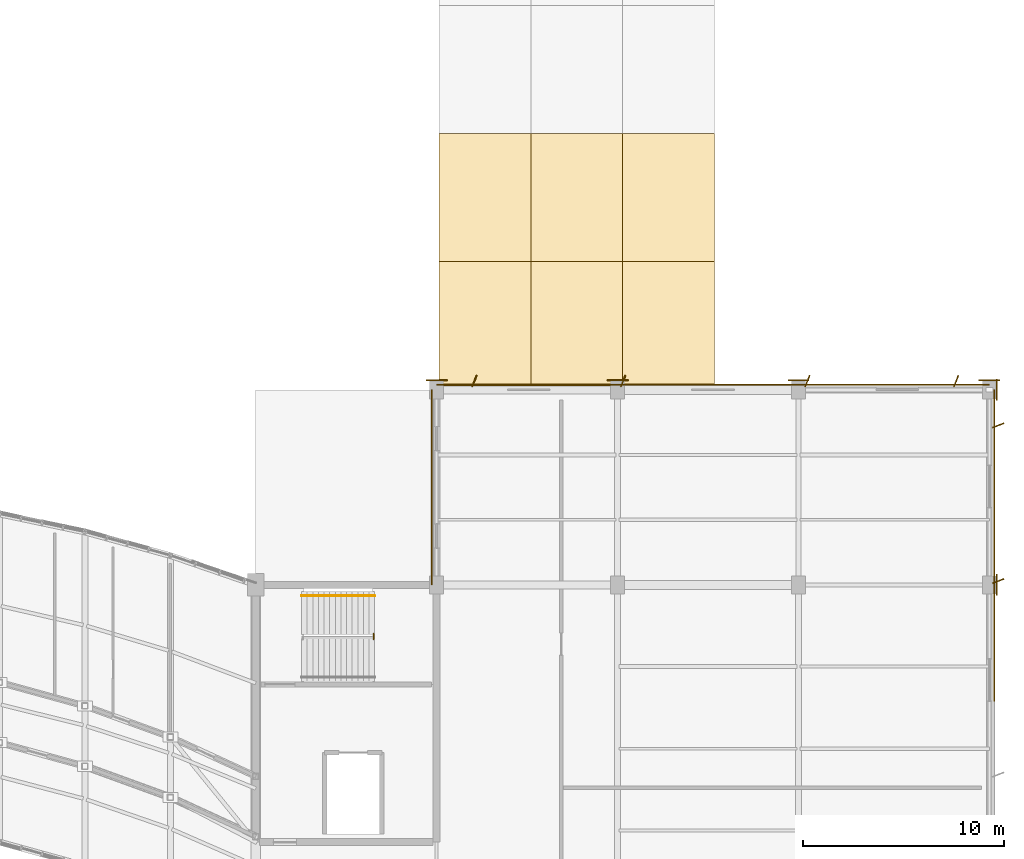
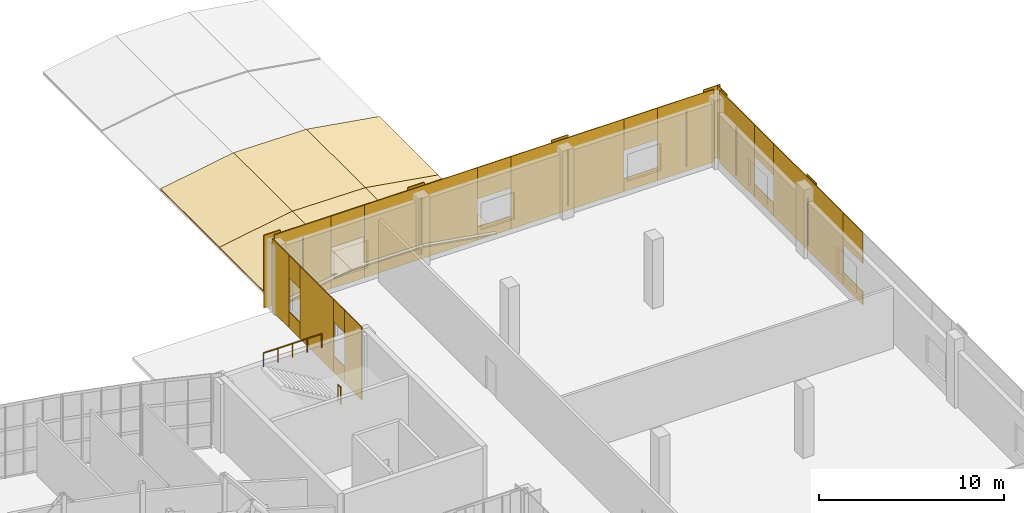
# One storey, part 85 of 86: 41 coverings, 2 railings.
"""IFC4 building model written with IfcOpenShell, lengths in metres."""

from ifc_helpers import new_model, si_unit, direction, frame, origin, origin_2d, place, context, subcontext, project, spatial, polyline, rectangle, circle, outline, extrude, material, layer, layer_set, type_object, element, save


model = new_model("IFC4")

# Units and contexts
model_context = context("Model", 3, precision=1e-05, world=origin(), true_north=direction((0.0, 1.0)))
body_context = subcontext(model_context, "Body", "Model", "MODEL_VIEW")
ifc_project = project(units=[si_unit("LENGTHUNIT", "METRE"), si_unit("AREAUNIT", "SQUARE_METRE"), si_unit("VOLUMEUNIT", "CUBIC_METRE"), si_unit("PLANEANGLEUNIT", "RADIAN"), si_unit("MASSUNIT", "GRAM", prefix="KILO")], contexts=[model_context])

# Site, building, storey
site_placement = place(None, origin())
site = spatial("IfcSite", under=ifc_project, at=site_placement, CompositionType="ELEMENT")
building_placement = place(site_placement, origin())
building = spatial("IfcBuilding", under=site, at=building_placement, Name="Solvikara Media Centre", CompositionType="ELEMENT")
storey_placement = place(building_placement, frame((0.0, 0.0, 15.0)))
storey = spatial("IfcBuildingStorey", under=building, at=storey_placement, Name="L03", CompositionType="ELEMENT", Elevation=15.0)

# Coverings
ifc_material_1 = material(Name="Insulated standing-seam aluminium-zinc acoustic roofing", Category="aluminium")
ifc_layer_1 = layer(ifc_material_1, 0.080078125)
ifc_layer_set_1 = layer_set([ifc_layer_1], Name="Insulated standing-seam aluminium-zinc acoustic roofing")
covering_type_1 = type_object("IfcCoveringType", Name="CV-03", PredefinedType="ROOFING", material=ifc_layer_set_1)
covering_1_placement = place(storey_placement, frame((136.625, 46.5, 0.216064453125), z_axis=(-0.170141736311, 0.0, 0.985419600762), x_axis=(0.985419600762, 0.0, 0.170141736311)))
element("IfcCovering", 1, at=covering_1_placement, inside=storey, type_object=covering_type_1, Name="CV-BSA-00-02", PredefinedType="ROOFING", context=body_context, shape_type="SweptSolid", body=[
    extrude(outline(polyline([(0.0, 0.0), (4.630502861647757, 0.0), (4.630502861647757, 6.375000000000002), (0.0, 6.375000000000002), (0.0, 0.0)])), origin(), (0.0, 0.0, -1.0), 0.080078125),
])
covering_2_placement = place(storey_placement, frame((141.18798828125, 46.5, 1.00390625), z_axis=(0.010060499073, 0.0, 0.999949391899), x_axis=(0.999949391899, 0.0, -0.010060499073)))
element("IfcCovering", 2, at=covering_2_placement, inside=storey, type_object=covering_type_1, Name="CV-BSA-00-03", PredefinedType="ROOFING", context=body_context, shape_type="SweptSolid", body=[
    extrude(outline(polyline([(0.0, 0.0), (4.562242605186322, 0.0), (4.562242605186322, 6.375), (0.0, 6.375), (0.0, 0.0)])), origin(), (0.0, 0.0, -1.0), 0.080078125),
])
covering_3_placement = place(storey_placement, frame((145.75, 46.5, 0.9580078125), z_axis=(0.16242916389, 0.0, 0.986720206907), x_axis=(0.986720206907, 0.0, -0.16242916389)))
element("IfcCovering", 3, at=covering_3_placement, inside=storey, type_object=covering_type_1, Name="CV-BSA-00-04", PredefinedType="ROOFING", context=body_context, shape_type="SweptSolid", body=[
    extrude(outline(polyline([(0.0, 0.0), (4.623409642183639, 0.0), (4.623409642183639, 6.375), (0.0, 6.375), (0.0, 0.0)])), origin(), (0.0, 0.0, -1.0), 0.080078125),
])
covering_4_placement = place(storey_placement, frame((136.625, 52.875, 0.216064453125), z_axis=(-0.170141736311, 0.0, 0.985419600762), x_axis=(0.985419600762, 0.0, 0.170141736311)))
element("IfcCovering", 4, at=covering_4_placement, inside=storey, type_object=covering_type_1, Name="CV-BSA-01-02", PredefinedType="ROOFING", context=body_context, shape_type="SweptSolid", body=[
    extrude(outline(polyline([(0.0, 0.0), (4.630502861647757, 0.0), (4.630502861647757, 6.375000000000002), (0.0, 6.375000000000002), (0.0, 0.0)])), origin(), (0.0, 0.0, -1.0), 0.080078125),
])
covering_5_placement = place(storey_placement, frame((141.18798828125, 52.875, 1.00390625), z_axis=(0.010060499073, 0.0, 0.999949391899), x_axis=(0.999949391899, 0.0, -0.010060499073)))
element("IfcCovering", 5, at=covering_5_placement, inside=storey, type_object=covering_type_1, Name="CV-BSA-01-03", PredefinedType="ROOFING", context=body_context, shape_type="SweptSolid", body=[
    extrude(outline(polyline([(0.0, 0.0), (4.562242605186322, 0.0), (4.562242605186322, 6.375), (0.0, 6.375), (0.0, 0.0)])), origin(), (0.0, 0.0, -1.0), 0.080078125),
])
covering_6_placement = place(storey_placement, frame((145.75, 52.875, 0.9580078125), z_axis=(0.16242916389, 0.0, 0.986720206907), x_axis=(0.986720206907, 0.0, -0.16242916389)))
element("IfcCovering", 6, at=covering_6_placement, inside=storey, type_object=covering_type_1, Name="CV-BSA-01-04", PredefinedType="ROOFING", context=body_context, shape_type="SweptSolid", body=[
    extrude(outline(polyline([(0.0, 0.0), (4.623409642183639, 0.0), (4.623409642183639, 6.375), (0.0, 6.375), (0.0, 0.0)])), origin(), (0.0, 0.0, -1.0), 0.080078125),
])
ifc_material_2 = material(Name="GFRC white mineral architectural rainscreen panel")
ifc_layer_2 = layer(ifc_material_2, 0.050048828125)
ifc_layer_set_2 = layer_set([ifc_layer_2], Name="GFRC white mineral architectural rainscreen panel")
covering_type_2 = type_object("IfcCoveringType", Name="CV-04", PredefinedType="CLADDING", material=ifc_layer_set_2)
for number, where, z_axis, x_axis, name in (
    (7, (136.5, 46.97509765625, 0.0), (0.0, 0.0, 1.0), (-1.0, 0.0, 0.0), "PIL-L03-204"),
    (8, (145.5, 46.97509765625, 0.0), (0.0, 0.0, 1.0), (-1.0, 0.0, 0.0), "PIL-L03-210"),
    (9, (154.5, 46.97509765625, 0.0), (0.0, 0.0, 1.0), (-1.0, 0.0, 0.0), "PIL-L03-216"),
    (10, (164.375, 36.800048828125, 0.0), (0.0, 0.0, 1.0), (0.0, 1.0, 0.0), "PIL-L03-235"),
    (11, (164.375, 46.5, 0.0), (0.0, 0.0, 1.0), (0.0, 1.0, 0.0), "PIL-L03-240"),
    (12, (164.0, 46.97509765625, 0.0), (0.0, 0.0, 1.0), (-1.0, 0.0, 0.0), "PIL-L03-241"),
):
    element("IfcCovering", number, at=place(storey_placement, frame(where, z_axis=z_axis, x_axis=x_axis)), inside=storey, type_object=covering_type_2, Name=name, PredefinedType="CLADDING", context=body_context, shape_type="SweptSolid", body=[
        extrude(rectangle(XDim=1.0400390625, YDim=0.050048828125, at=origin_2d()), origin(), (0.0, 0.0, 1.0), 4.800048828125),
    ])
covering_7_placement = place(storey_placement, frame((136.2548828125, 37.7119140625, 0.0), z_axis=(0.0, 0.0, 1.0), x_axis=(0.0, 1.0, 0.0)))
element("IfcCovering", 13, at=covering_7_placement, inside=storey, type_object=covering_type_2, Name="L03-V5WN-CV-F01", PredefinedType="CLADDING", context=body_context, shape_type="SweptSolid", body=[
    extrude(rectangle(XDim=1.824951171875, YDim=0.050048828125, at=origin_2d()), origin(), (0.0, 0.0, 1.0), 4.800048828125),
])
covering_8_placement = place(storey_placement, frame((136.2548828125, 39.22509765625, 0.0), z_axis=(0.0, 0.0, 1.0), x_axis=(0.0, 1.0, 0.0)))
element("IfcCovering", 14, at=covering_8_placement, inside=storey, type_object=covering_type_2, Name="L03-V5WN-CV-S02", PredefinedType="CLADDING", context=body_context, shape_type="SweptSolid", body=[
    extrude(rectangle(XDim=1.199951171875, YDim=0.050048828125, at=origin_2d()), origin(), (0.0, 0.0, 1.0), 1.070068359375),
])
covering_9_placement = place(storey_placement, frame((136.2548828125, 39.22509765625, 3.330078125), z_axis=(0.0, 0.0, 1.0), x_axis=(0.0, 1.0, 0.0)))
element("IfcCovering", 15, at=covering_9_placement, inside=storey, type_object=covering_type_2, Name="L03-V5WN-CV-H02", PredefinedType="CLADDING", context=body_context, shape_type="SweptSolid", body=[
    extrude(rectangle(XDim=1.199951171875, YDim=0.050048828125, at=origin_2d()), origin(), (0.0, 0.0, 1.0), 1.469970703125),
])
covering_10_placement = place(storey_placement, frame((136.2548828125, 41.64990234375, 0.0), z_axis=(0.0, 0.0, 1.0), x_axis=(0.0, 1.0, 0.0)))
element("IfcCovering", 16, at=covering_10_placement, inside=storey, type_object=covering_type_2, Name="L03-V5WN-CV-F03", PredefinedType="CLADDING", context=body_context, shape_type="SweptSolid", body=[
    extrude(rectangle(XDim=3.64990234375, YDim=0.050048828125, at=origin_2d()), origin(), (0.0, 0.0, 1.0), 4.800048828125),
])
covering_11_placement = place(storey_placement, frame((136.2548828125, 44.074951171875, 0.0), z_axis=(0.0, 0.0, 1.0), x_axis=(0.0, 1.0, 0.0)))
element("IfcCovering", 17, at=covering_11_placement, inside=storey, type_object=covering_type_2, Name="L03-V5WN-CV-S04", PredefinedType="CLADDING", context=body_context, shape_type="SweptSolid", body=[
    extrude(rectangle(XDim=1.199951171875, YDim=0.050048828125, at=origin_2d()), origin(), (0.0, 0.0, 1.0), 1.070068359375),
])
covering_12_placement = place(storey_placement, frame((136.2548828125, 44.074951171875, 3.330078125), z_axis=(0.0, 0.0, 1.0), x_axis=(0.0, 1.0, 0.0)))
element("IfcCovering", 18, at=covering_12_placement, inside=storey, type_object=covering_type_2, Name="L03-V5WN-CV-H04", PredefinedType="CLADDING", context=body_context, shape_type="SweptSolid", body=[
    extrude(rectangle(XDim=1.199951171875, YDim=0.050048828125, at=origin_2d()), origin(), (0.0, 0.0, 1.0), 1.469970703125),
])
covering_13_placement = place(storey_placement, frame((136.2548828125, 45.5869140625, 0.0), z_axis=(0.0, 0.0, 1.0), x_axis=(0.0, 1.0, 0.0)))
element("IfcCovering", 19, at=covering_13_placement, inside=storey, type_object=covering_type_2, Name="L03-V5WN-CV-F05", PredefinedType="CLADDING", context=body_context, shape_type="SweptSolid", body=[
    extrude(rectangle(XDim=1.824951171875, YDim=0.050048828125, at=origin_2d()), origin(), (0.0, 0.0, 1.0), 4.800048828125),
])
covering_14_placement = place(storey_placement, frame((164.2451171875, 32.06201171875, 0.0), z_axis=(0.0, 0.0, 1.0), x_axis=(0.0, 1.0, 0.0)))
element("IfcCovering", 20, at=covering_14_placement, inside=storey, type_object=covering_type_2, Name="L03-V5E-CV-S06", PredefinedType="CLADDING", context=body_context, shape_type="SweptSolid", body=[
    extrude(rectangle(XDim=2.10009765625, YDim=0.050048828125, at=origin_2d()), origin(), (0.0, 0.0, 1.0), 0.8701171875),
])
covering_15_placement = place(storey_placement, frame((164.2451171875, 32.06201171875, 2.72998046875), z_axis=(0.0, 0.0, 1.0), x_axis=(0.0, 1.0, 0.0)))
element("IfcCovering", 21, at=covering_15_placement, inside=storey, type_object=covering_type_2, Name="L03-V5E-CV-H06", PredefinedType="CLADDING", context=body_context, shape_type="SweptSolid", body=[
    extrude(rectangle(XDim=2.10009765625, YDim=0.050048828125, at=origin_2d()), origin(), (0.0, 0.0, 1.0), 2.070068359375),
])
covering_16_placement = place(storey_placement, frame((164.2451171875, 36.875, 0.0), z_axis=(0.0, 0.0, 1.0), x_axis=(0.0, 1.0, 0.0)))
element("IfcCovering", 22, at=covering_16_placement, inside=storey, type_object=covering_type_2, Name="L03-V5E-CV-F07", PredefinedType="CLADDING", context=body_context, shape_type="SweptSolid", body=[
    extrude(rectangle(XDim=7.52587890625, YDim=0.050048828125, at=origin_2d()), origin(), (0.0, 0.0, 1.0), 4.800048828125),
])
covering_17_placement = place(storey_placement, frame((164.43505859375, 36.985107421875, 0.35009765625), z_axis=(0.0, 0.0, 1.0), x_axis=(0.930749810713, 0.3656566557, 0.0)))
element("IfcCovering", 23, at=covering_17_placement, inside=storey, type_object=covering_type_2, Name="L03-V5E-FIN-07", PredefinedType="CLADDING", context=body_context, shape_type="SweptSolid", body=[
    extrude(rectangle(XDim=0.60205078125, YDim=0.050048828125, at=origin_2d()), origin(), (0.0, 0.0, 1.0), 3.169921875),
])
covering_18_placement = place(storey_placement, frame((164.2451171875, 41.68798828125, 0.0), z_axis=(0.0, 0.0, 1.0), x_axis=(0.0, 1.0, 0.0)))
element("IfcCovering", 24, at=covering_18_placement, inside=storey, type_object=covering_type_2, Name="L03-V5E-CV-S08", PredefinedType="CLADDING", context=body_context, shape_type="SweptSolid", body=[
    extrude(rectangle(XDim=2.10009765625, YDim=0.050048828125, at=origin_2d()), origin(), (0.0, 0.0, 1.0), 0.8701171875),
])
covering_19_placement = place(storey_placement, frame((164.2451171875, 41.68798828125, 2.72998046875), z_axis=(0.0, 0.0, 1.0), x_axis=(0.0, 1.0, 0.0)))
element("IfcCovering", 25, at=covering_19_placement, inside=storey, type_object=covering_type_2, Name="L03-V5E-CV-H08", PredefinedType="CLADDING", context=body_context, shape_type="SweptSolid", body=[
    extrude(rectangle(XDim=2.10009765625, YDim=0.050048828125, at=origin_2d()), origin(), (0.0, 0.0, 1.0), 2.070068359375),
])
covering_20_placement = place(storey_placement, frame((164.2451171875, 44.618896484375, 0.0), z_axis=(0.0, 0.0, 1.0), x_axis=(0.0, 1.0, 0.0)))
element("IfcCovering", 26, at=covering_20_placement, inside=storey, type_object=covering_type_2, Name="L03-V5E-CV-F09", PredefinedType="CLADDING", context=body_context, shape_type="SweptSolid", body=[
    extrude(rectangle(XDim=3.761962890625, YDim=0.050048828125, at=origin_2d()), origin(), (0.0, 0.0, 1.0), 4.800048828125),
])
covering_21_placement = place(storey_placement, frame((164.43505859375, 44.72900390625, 0.35009765625), z_axis=(0.0, 0.0, 1.0), x_axis=(0.930749810713, 0.3656566557, 0.0)))
element("IfcCovering", 27, at=covering_21_placement, inside=storey, type_object=covering_type_2, Name="L03-V5E-FIN-09", PredefinedType="CLADDING", context=body_context, shape_type="SweptSolid", body=[
    extrude(rectangle(XDim=0.60205078125, YDim=0.050048828125, at=origin_2d()), origin(), (0.0, 0.0, 1.0), 3.169921875),
])
covering_22_placement = place(storey_placement, frame((138.26708984375, 46.7451171875, 0.0), z_axis=(0.0, 0.0, 1.0), x_axis=(1.0, 0.0, 0.0)))
element("IfcCovering", 28, at=covering_22_placement, inside=storey, type_object=covering_type_2, Name="L03-V5N-CV-F01", PredefinedType="CLADDING", context=body_context, shape_type="SweptSolid", body=[
    extrude(rectangle(XDim=3.532958984375, YDim=0.050048828125, at=origin_2d()), origin(), (0.0, 0.0, 1.0), 4.800048828125),
])
covering_23_placement = place(storey_placement, frame((138.376953125, 46.93505859375, 0.35009765625), z_axis=(0.0, 0.0, 1.0), x_axis=(0.3656566557, 0.930749810713, 0.0)))
element("IfcCovering", 29, at=covering_23_placement, inside=storey, type_object=covering_type_2, Name="L03-V5N-FIN-01", PredefinedType="CLADDING", context=body_context, shape_type="SweptSolid", body=[
    extrude(rectangle(XDim=0.60205078125, YDim=0.050048828125, at=origin_2d()), origin(), (0.0, 0.0, 1.0), 3.66796875),
])
covering_24_placement = place(storey_placement, frame((141.0830078125, 46.7451171875, 0.0), z_axis=(0.0, 0.0, 1.0), x_axis=(1.0, 0.0, 0.0)))
element("IfcCovering", 30, at=covering_24_placement, inside=storey, type_object=covering_type_2, Name="L03-V5N-CV-S02", PredefinedType="CLADDING", context=body_context, shape_type="SweptSolid", body=[
    extrude(rectangle(XDim=2.10009765625, YDim=0.050048828125, at=origin_2d()), origin(), (0.0, 0.0, 1.0), 0.8701171875),
])
covering_25_placement = place(storey_placement, frame((141.0830078125, 46.7451171875, 2.72998046875), z_axis=(0.0, 0.0, 1.0), x_axis=(1.0, 0.0, 0.0)))
element("IfcCovering", 31, at=covering_25_placement, inside=storey, type_object=covering_type_2, Name="L03-V5N-CV-H02", PredefinedType="CLADDING", context=body_context, shape_type="SweptSolid", body=[
    extrude(rectangle(XDim=2.10009765625, YDim=0.050048828125, at=origin_2d()), origin(), (0.0, 0.0, 1.0), 2.070068359375),
])
covering_26_placement = place(storey_placement, frame((145.666015625, 46.7451171875, 0.0), z_axis=(0.0, 0.0, 1.0), x_axis=(1.0, 0.0, 0.0)))
element("IfcCovering", 32, at=covering_26_placement, inside=storey, type_object=covering_type_2, Name="L03-V5N-CV-F03", PredefinedType="CLADDING", context=body_context, shape_type="SweptSolid", body=[
    extrude(rectangle(XDim=7.06689453125, YDim=0.050048828125, at=origin_2d()), origin(), (0.0, 0.0, 1.0), 4.800048828125),
])
covering_27_placement = place(storey_placement, frame((145.77587890625, 46.93505859375, 0.35009765625), z_axis=(0.0, 0.0, 1.0), x_axis=(0.3656566557, 0.930749810713, 0.0)))
element("IfcCovering", 33, at=covering_27_placement, inside=storey, type_object=covering_type_2, Name="L03-V5N-FIN-03", PredefinedType="CLADDING", context=body_context, shape_type="SweptSolid", body=[
    extrude(rectangle(XDim=0.60205078125, YDim=0.050048828125, at=origin_2d()), origin(), (0.0, 0.0, 1.0), 3.66796875),
])
covering_28_placement = place(storey_placement, frame((150.25, 46.7451171875, 0.0), z_axis=(0.0, 0.0, 1.0), x_axis=(1.0, 0.0, 0.0)))
element("IfcCovering", 34, at=covering_28_placement, inside=storey, type_object=covering_type_2, Name="L03-V5N-CV-S04", PredefinedType="CLADDING", context=body_context, shape_type="SweptSolid", body=[
    extrude(rectangle(XDim=2.10009765625, YDim=0.050048828125, at=origin_2d()), origin(), (0.0, 0.0, 1.0), 0.8701171875),
])
covering_29_placement = place(storey_placement, frame((150.25, 46.7451171875, 2.72998046875), z_axis=(0.0, 0.0, 1.0), x_axis=(1.0, 0.0, 0.0)))
element("IfcCovering", 35, at=covering_29_placement, inside=storey, type_object=covering_type_2, Name="L03-V5N-CV-H04", PredefinedType="CLADDING", context=body_context, shape_type="SweptSolid", body=[
    extrude(rectangle(XDim=2.10009765625, YDim=0.050048828125, at=origin_2d()), origin(), (0.0, 0.0, 1.0), 2.070068359375),
])
covering_30_placement = place(storey_placement, frame((154.833984375, 46.7451171875, 0.0), z_axis=(0.0, 0.0, 1.0), x_axis=(1.0, 0.0, 0.0)))
element("IfcCovering", 36, at=covering_30_placement, inside=storey, type_object=covering_type_2, Name="L03-V5N-CV-F05", PredefinedType="CLADDING", context=body_context, shape_type="SweptSolid", body=[
    extrude(rectangle(XDim=7.06689453125, YDim=0.050048828125, at=origin_2d()), origin(), (0.0, 0.0, 1.0), 4.800048828125),
])
covering_31_placement = place(storey_placement, frame((154.944091796875, 46.93505859375, 0.35009765625), z_axis=(0.0, 0.0, 1.0), x_axis=(0.3656566557, 0.930749810713, 0.0)))
element("IfcCovering", 37, at=covering_31_placement, inside=storey, type_object=covering_type_2, Name="L03-V5N-FIN-05", PredefinedType="CLADDING", context=body_context, shape_type="SweptSolid", body=[
    extrude(rectangle(XDim=0.60205078125, YDim=0.050048828125, at=origin_2d()), origin(), (0.0, 0.0, 1.0), 3.66796875),
])
covering_32_placement = place(storey_placement, frame((159.4169921875, 46.7451171875, 0.0), z_axis=(0.0, 0.0, 1.0), x_axis=(1.0, 0.0, 0.0)))
element("IfcCovering", 38, at=covering_32_placement, inside=storey, type_object=covering_type_2, Name="L03-V5N-CV-S06", PredefinedType="CLADDING", context=body_context, shape_type="SweptSolid", body=[
    extrude(rectangle(XDim=2.10009765625, YDim=0.050048828125, at=origin_2d()), origin(), (0.0, 0.0, 1.0), 0.8701171875),
])
covering_33_placement = place(storey_placement, frame((159.4169921875, 46.7451171875, 2.72998046875), z_axis=(0.0, 0.0, 1.0), x_axis=(1.0, 0.0, 0.0)))
element("IfcCovering", 39, at=covering_33_placement, inside=storey, type_object=covering_type_2, Name="L03-V5N-CV-H06", PredefinedType="CLADDING", context=body_context, shape_type="SweptSolid", body=[
    extrude(rectangle(XDim=2.10009765625, YDim=0.050048828125, at=origin_2d()), origin(), (0.0, 0.0, 1.0), 2.070068359375),
])
covering_34_placement = place(storey_placement, frame((162.23291015625, 46.7451171875, 0.0), z_axis=(0.0, 0.0, 1.0), x_axis=(1.0, 0.0, 0.0)))
element("IfcCovering", 40, at=covering_34_placement, inside=storey, type_object=covering_type_2, Name="L03-V5N-CV-F07", PredefinedType="CLADDING", context=body_context, shape_type="SweptSolid", body=[
    extrude(rectangle(XDim=3.532958984375, YDim=0.050048828125, at=origin_2d()), origin(), (0.0, 0.0, 1.0), 4.800048828125),
])
covering_35_placement = place(storey_placement, frame((162.343017578125, 46.93505859375, 0.35009765625), z_axis=(0.0, 0.0, 1.0), x_axis=(0.3656566557, 0.930749810713, 0.0)))
element("IfcCovering", 41, at=covering_35_placement, inside=storey, type_object=covering_type_2, Name="L03-V5N-FIN-07", PredefinedType="CLADDING", context=body_context, shape_type="SweptSolid", body=[
    extrude(rectangle(XDim=0.60205078125, YDim=0.050048828125, at=origin_2d()), origin(), (0.0, 0.0, 1.0), 3.66796875),
])

# Railings
ifc_material_3 = material(Name="Steel S355JR", Category="steel")
railing_type_1 = type_object("IfcRailingType", Name="GR-02", PredefinedType="BALUSTRADE", material=ifc_material_3)
railing_1_placement = place(storey_placement, frame((133.360107421875, 34.080078125, 2.39990234375)))
element("IfcRailing", 42, at=railing_1_placement, inside=storey, type_object=railing_type_1, Name="GR-C4-L03-M", PredefinedType="BALUSTRADE", context=body_context, shape_type="SweptSolid", body=[
    extrude(circle(Radius=0.02392578125, at=origin_2d()), frame((0.0, 0.0, 1.09619140625), z_axis=(0.0, 1.0, 0.0), x_axis=(-1.0, 0.0, 0.0)), (0.0, 0.0, 1.0), 0.2900390625),
    extrude(circle(Radius=0.02099609375, at=origin_2d()), origin(), (0.0, 0.0, 1.0), 1.072021484375),
    extrude(circle(Radius=0.02099609375, at=origin_2d()), frame((0.0, 0.2900390625, 0.0)), (0.0, 0.0, 1.0), 1.072021484375),
])
railing_type_2 = type_object("IfcRailingType", Name="HR-01", PredefinedType="HANDRAIL", material=ifc_material_3)
railing_2_placement = place(storey_placement, frame((133.419921875, 36.25, 4.800048828125)))
element("IfcRailing", 43, at=railing_2_placement, inside=storey, type_object=railing_type_2, Name="HR-C4-L03-2", PredefinedType="HANDRAIL", context=body_context, shape_type="SweptSolid", body=[
    extrude(circle(Radius=0.02392578125, at=origin_2d()), frame((0.0, 0.0, 0.89599609375), z_axis=(-1.0, 0.0, 0.0), x_axis=(0.0, -1.0, 0.0)), (0.0, 0.0, 1.0), 3.639892578125),
    extrude(circle(Radius=0.02099609375, at=origin_2d()), origin(), (0.0, 0.0, 1.0), 0.871826171875),
    extrude(circle(Radius=0.02099609375, at=origin_2d()), frame((-0.909912109375, 0.0, 0.0)), (0.0, 0.0, 1.0), 0.871826171875),
    extrude(circle(Radius=0.02099609375, at=origin_2d()), frame((-1.81982421875, 0.0, 0.0)), (0.0, 0.0, 1.0), 0.871826171875),
    extrude(circle(Radius=0.02099609375, at=origin_2d()), frame((-2.72998046875, 0.0, 0.0)), (0.0, 0.0, 1.0), 0.871826171875),
    extrude(circle(Radius=0.02099609375, at=origin_2d()), frame((-3.639892578125, 0.0, 0.0)), (0.0, 0.0, 1.0), 0.871826171875),
])

save(model, "model.ifc")
